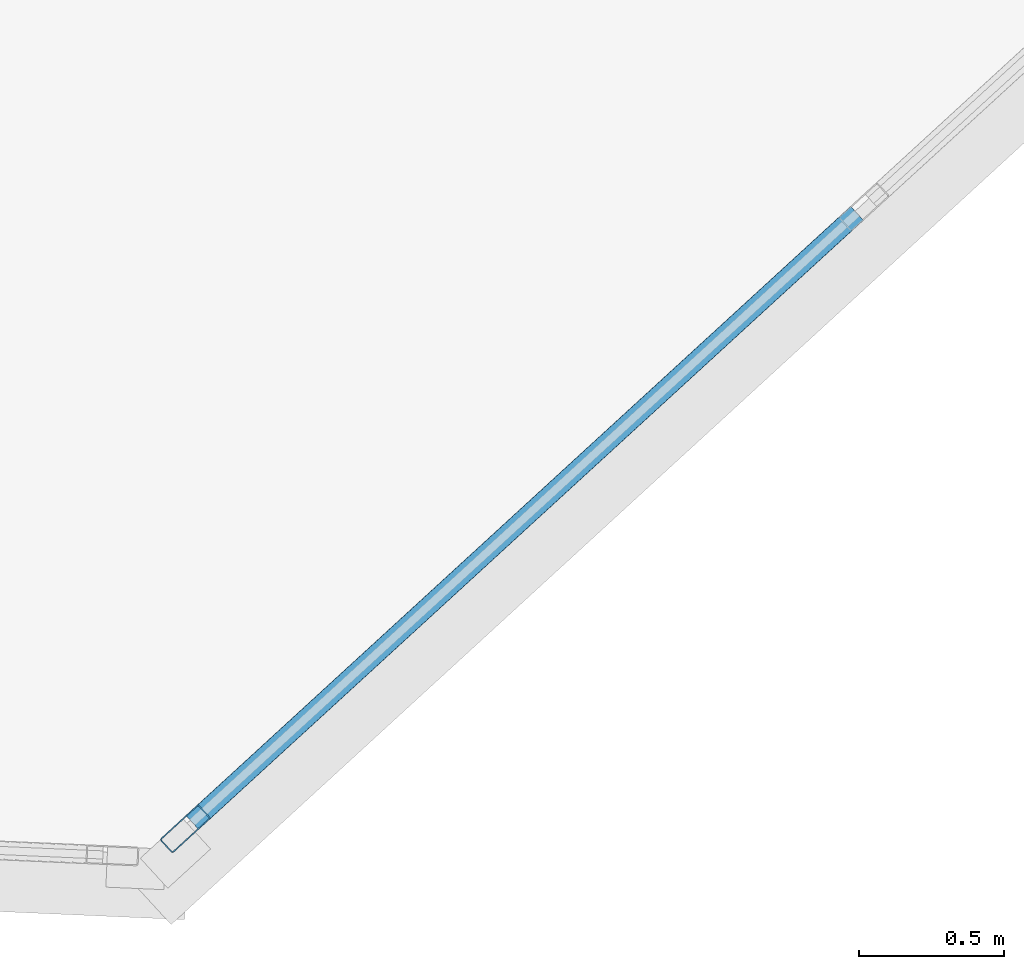
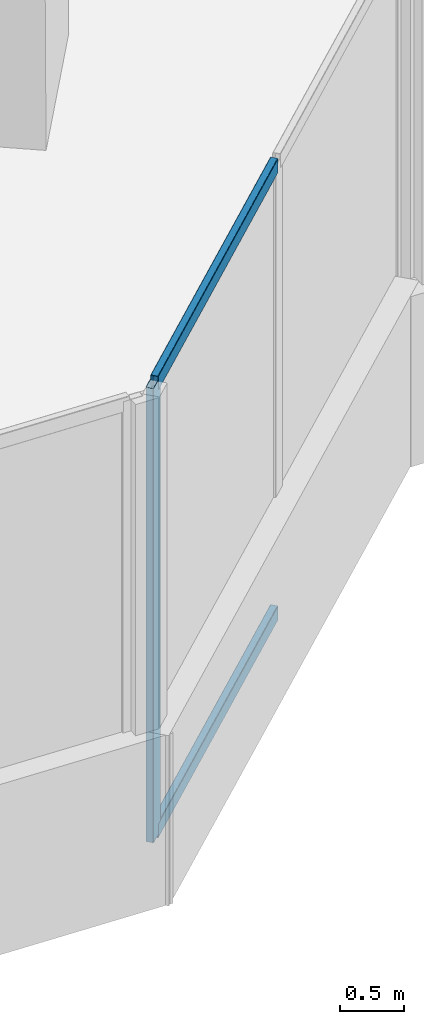
# One storey, part 6 of 26: 3 members, 1 element without a shape of its own.
"""IFC4 building model written with IfcOpenShell, lengths in metres."""

from ifc_helpers import new_model, si_unit, direction, frame, origin, origin_2d, place, context, subcontext, project, spatial, hollow_rectangle, extrude, source, transform, mapped, material, material_profile, profile_set, type_object, element, aggregate, save


model = new_model("IFC4")

# Units and contexts
model_context = context("Model", 3, precision=1e-05, world=origin(), true_north=direction((0.0, 1.0)))
body_context = subcontext(model_context, "Body", "Model", "MODEL_VIEW")
ifc_project = project(units=[si_unit("LENGTHUNIT", "METRE"), si_unit("AREAUNIT", "SQUARE_METRE"), si_unit("VOLUMEUNIT", "CUBIC_METRE"), si_unit("PLANEANGLEUNIT", "RADIAN"), si_unit("MASSUNIT", "GRAM", prefix="KILO")], contexts=[model_context])

# Site, building, storey
site_placement = place(None, origin())
site = spatial("IfcSite", under=ifc_project, at=site_placement, CompositionType="ELEMENT")
building_placement = place(site_placement, origin())
building = spatial("IfcBuilding", under=site, at=building_placement, Name="Torre Montelarca", CompositionType="ELEMENT")
storey_placement = place(building_placement, frame((0.0, 0.0, 42.39990234375)))
storey = spatial("IfcBuildingStorey", under=building, at=storey_placement, Name="L09", CompositionType="ELEMENT", Elevation=42.39990234375)

# Curtain wall, members
ifc_material_1 = material(Name="Insulated low-E laminated glass", Category="glass")
curtain_wall_type = type_object("IfcCurtainWallType", Name="CW-SYS-Z1", PredefinedType="USERDEFINED", material=ifc_material_1)
curtain_wall_placement = place(storey_placement, origin())
curtain_wall = element("IfcCurtainWall", 1, at=curtain_wall_placement, inside=storey, type_object=curtain_wall_type, Name="L09 Curtain Wall Run CW-T3-L09-E02-B1", ObjectType="UNITISED GLAZING", PredefinedType="USERDEFINED")
ifc_material_2 = material(Name="Anodised aluminium AA 6063-T6", Category="aluminium")
ifc_material_profile_1 = material_profile(ifc_material_2, hollow_rectangle(XDim=0.06494140625, YDim=0.179931640625, WallThickness=0.00390625, InnerFilletRadius=0.00390625, OuterFilletRadius=0.008056640625, at=origin_2d()), Name="ALU65X180X4", Category="aluminium")
ifc_profile_set_1 = profile_set([ifc_material_profile_1], Name="Anodised aluminium AA 6063-T6")
member_type_1 = type_object("IfcMemberType", Name="CWM-ALU180", PredefinedType="MULLION", material=ifc_profile_set_1)
shared_shape_1 = source(origin(), body_context, "Body", "SweptSolid", [
    extrude(hollow_rectangle(XDim=0.06494140625, YDim=0.179931640625, WallThickness=0.00390625, InnerFilletRadius=0.00390625, OuterFilletRadius=0.008056640625, at=origin_2d()), origin(), (0.0, 0.0, 1.0), 4.320068359375),
])
member_1_placement = place(storey_placement, frame((31.654052734375, 13.57177734375, 0.0), z_axis=(0.0, 0.0, 1.0), x_axis=(-0.675574618781, 0.737291621042, 0.0)))
member_1 = element("IfcMember", 2, at=member_1_placement, type_object=member_type_1, Name="CW mullion 1", PredefinedType="MULLION", context=body_context, shape_type="MappedRepresentation", body=[
    mapped(shared_shape_1, transform((0.0, 0.0, 0.0), scale=1.0)),
])
ifc_material_profile_2 = material_profile(ifc_material_2, hollow_rectangle(XDim=0.06494140625, YDim=0.139892578125, WallThickness=0.00390625, InnerFilletRadius=0.00390625, OuterFilletRadius=0.008056640625, at=origin_2d()), Name="ALU65X140X4", Category="aluminium")
ifc_profile_set_2 = profile_set([ifc_material_profile_2], Name="Anodised aluminium AA 6063-T6")
member_type_2 = type_object("IfcMemberType", Name="CWT-ALU140", PredefinedType="USERDEFINED", material=ifc_profile_set_2)
shared_shape_2 = source(origin(), body_context, "Body", "SweptSolid", [
    extrude(hollow_rectangle(XDim=0.06494140625, YDim=0.139892578125, WallThickness=0.00390625, InnerFilletRadius=0.00390625, OuterFilletRadius=0.008056640625, at=origin_2d()), origin(), (0.0, 0.0, 1.0), 3.102294921875),
])
member_2_placement = place(storey_placement, frame((31.67822265625, 13.59375, 0.03271484375), z_axis=(0.73728152185, 0.675585640418, 0.0), x_axis=(-0.675585640418, 0.73728152185, 0.0)))
member_2 = element("IfcMember", 3, at=member_2_placement, type_object=member_type_2, Name="CW transom 1.1", ObjectType="TRANSOM", PredefinedType="USERDEFINED", context=body_context, shape_type="MappedRepresentation", body=[
    mapped(shared_shape_2, transform((0.0, 0.0, 0.0), scale=1.0)),
])
member_3_placement = place(storey_placement, frame((31.67822265625, 13.59375, 4.28759765625), z_axis=(0.73728152185, 0.675585640418, 0.0), x_axis=(-0.675585640418, 0.73728152185, 0.0)))
member_3 = element("IfcMember", 4, at=member_3_placement, type_object=member_type_2, Name="CW transom 1.2", ObjectType="TRANSOM", PredefinedType="USERDEFINED", context=body_context, shape_type="MappedRepresentation", body=[
    mapped(shared_shape_2, transform((0.0, 0.0, 0.0), scale=1.0)),
])
aggregate(curtain_wall, [member_1, member_2, member_3])

save(model, "model.ifc")
